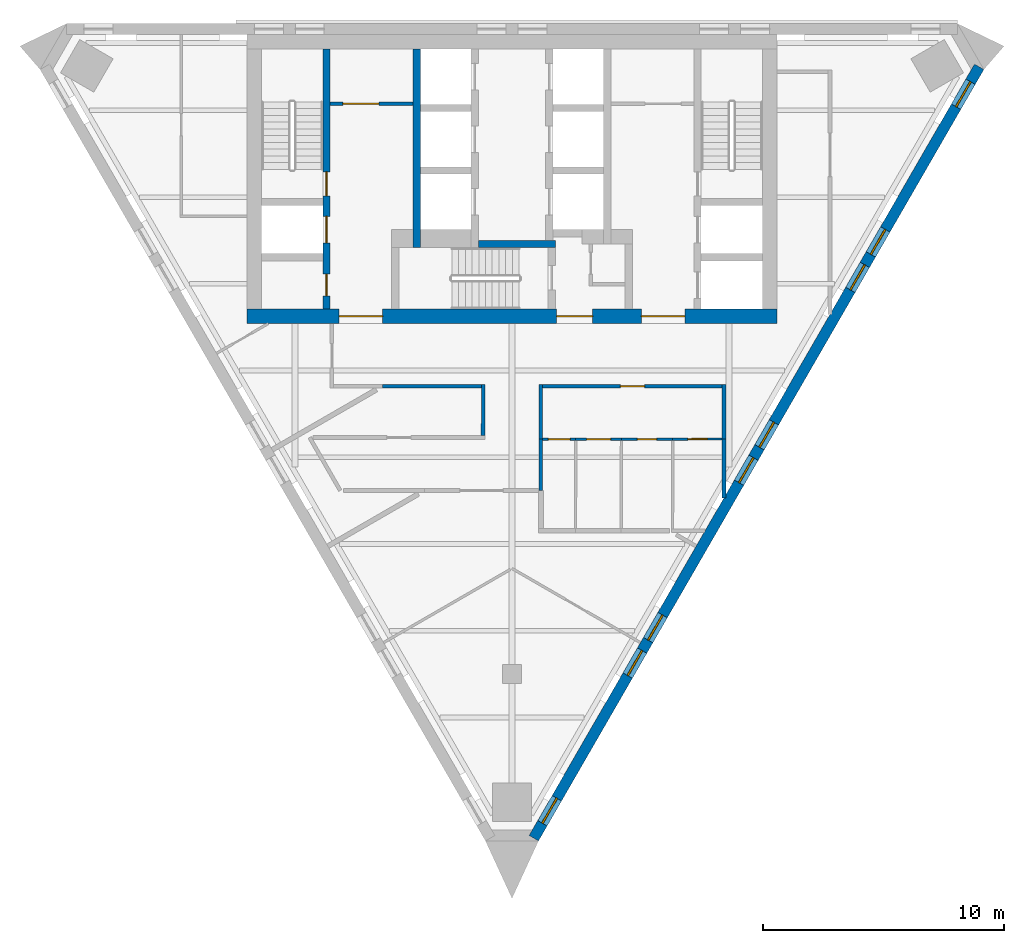
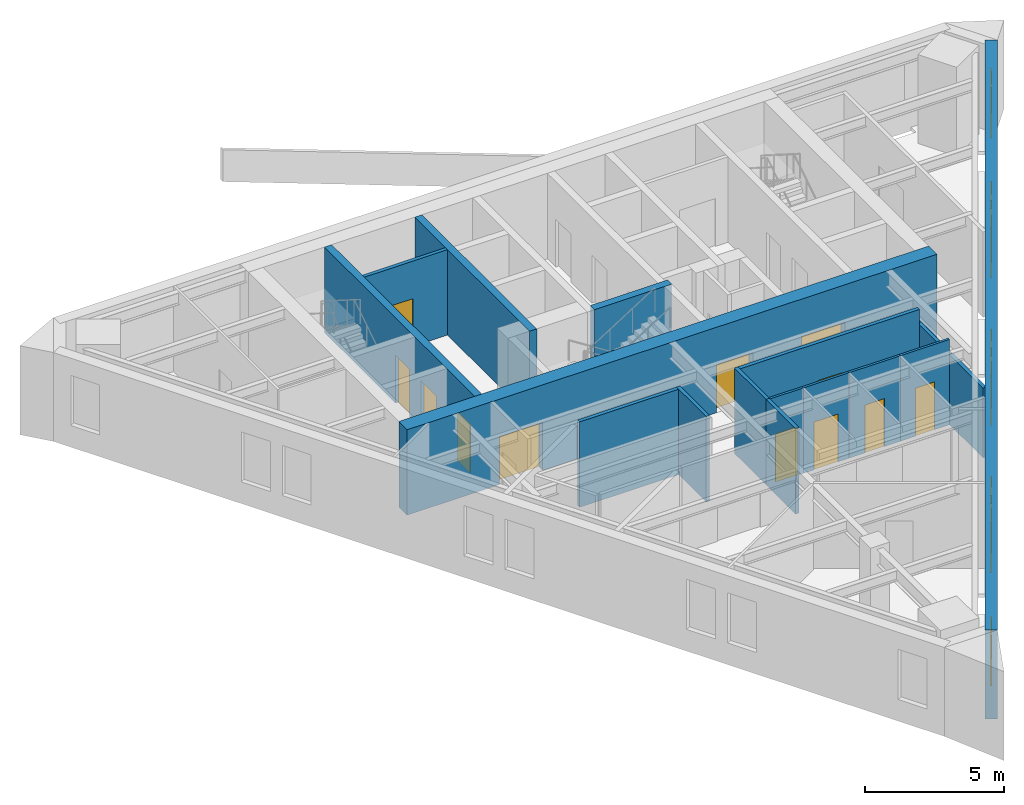
# One storey, part 3 of 6: 17 walls, 12 doors, 8 windows, 20 openings.
"""IFC4 building model written with IfcOpenShell, lengths in metres."""

from ifc_helpers import new_model, si_unit, direction, frame, frame_2d, origin, place, context, subcontext, project, spatial, polyline, rectangle, outline, extrude, material, layer, layer_set, type_object, element, fill, save


model = new_model("IFC4")

# Units and contexts
model_context = context("Model", 3, precision=1e-05, world=origin(), true_north=direction((0.0, 1.0)))
body_context = subcontext(model_context, "Body", "Model", "MODEL_VIEW")
ifc_project = project(units=[si_unit("LENGTHUNIT", "METRE"), si_unit("AREAUNIT", "SQUARE_METRE"), si_unit("VOLUMEUNIT", "CUBIC_METRE"), si_unit("PLANEANGLEUNIT", "RADIAN"), si_unit("MASSUNIT", "GRAM", prefix="KILO")], contexts=[model_context])

# Site, building, storey
site_placement = place(None, origin())
site = spatial("IfcSite", under=ifc_project, at=site_placement, CompositionType="ELEMENT")
building_placement = place(site_placement, origin())
building = spatial("IfcBuilding", under=site, at=building_placement, Name="Aloe Facet Convention Tower", CompositionType="ELEMENT")
storey_placement = place(building_placement, frame((0.0, 0.0, 242.60009765625)))
storey = spatial("IfcBuildingStorey", under=building, at=storey_placement, Name="L59", CompositionType="ELEMENT", Elevation=242.60009765625)

# Wall, opening, door
ifc_material_1 = material(Name="Concrete blockwork partition", Category="masonry")
ifc_layer_1 = layer(ifc_material_1, 0.14990234375)
ifc_layer_set_1 = layer_set([ifc_layer_1], Name="CR-W-PART150")
wall_type_1 = type_object("IfcWallType", Name="CR-W-PART150", PredefinedType="PARTITIONING", material=ifc_layer_set_1)
wall_1_placement = place(storey_placement, frame((72.449951171875, 131.675048828125, 0.0), z_axis=(0.0, 0.0, 1.0), x_axis=(1.0, 0.0, 0.0)))
wall_1 = element("IfcWall", 1, at=wall_1_placement, inside=storey, type_object=wall_type_1, Name="Core partition L59-007", PredefinedType="PARTITIONING", context=body_context, shape_type="SweptSolid", body=[
    extrude(rectangle(XDim=3.449951171875, YDim=0.14990234375, at=frame_2d((1.72509765625, 0.0))), origin(), (0.0, 0.0, 1.0), 3.75),
])
opening_1_placement = place(wall_1_placement, frame((0.52490234375, 0.0, 0.0)))
opening_1 = element("IfcOpeningElement", 2, at=opening_1_placement, cuts=wall_1, Name="Opening L59-CD14", PredefinedType="OPENING", context=body_context, shape_type="SweptSolid", body=[
    extrude(rectangle(XDim=1.5, YDim=2.10009765625, at=frame_2d((0.75, 1.050048828125))), frame((0.0, 0.0849609375, 0.0), z_axis=(0.0, -1.0, 0.0), x_axis=(1.0, 0.0, 0.0)), (0.0, 0.0, 1.0), 0.169921875),
])
ifc_material_2 = material(Name="Steel fire-resisting door set FD60", Category="steel")
door_type_1 = type_object("IfcDoorType", Name="CR-D-REFUGE-1500-FD60-DD", OperationType="DOUBLE_DOOR_DOUBLE_SWING", PredefinedType="DOOR", material=ifc_material_2)
door_1_placement = place(opening_1_placement, origin())
door_1 = element("IfcDoor", 3, at=door_1_placement, inside=storey, type_object=door_type_1, Name="Core door L59-CD14", OperationType="DOUBLE_DOOR_DOUBLE_SWING", OverallHeight=2.10009765625, OverallWidth=1.5, PredefinedType="DOOR", context=body_context, shape_type="SweptSolid", body=[
    extrude(rectangle(XDim=1.5, YDim=2.10009765625, at=frame_2d((0.75, 1.050048828125))), frame((0.0, 0.02490234375, 0.0), z_axis=(0.0, -1.0, 0.0), x_axis=(1.0, 0.0, 0.0)), (0.0, 0.0, 1.0), 0.050048828125),
])
fill(opening_1, door_1)

# Wall, openings, doors
ifc_material_3 = material(Name="Concrete C50/60", Category="concrete")
ifc_layer_2 = layer(ifc_material_3, 0.300048828125)
ifc_layer_set_2 = layer_set([ifc_layer_2], Name="CR-W-RC300-C5060")
wall_type_2 = type_object("IfcWallType", Name="CR-W-RC300-C5060", PredefinedType="SOLIDWALL", material=ifc_layer_set_2)
wall_2_placement = place(storey_placement, frame((72.300048828125, 133.949951171875, 0.0), z_axis=(0.0, 0.0, 1.0), x_axis=(0.0, -1.0, 0.0)))
wall_2 = element("IfcWall", 4, at=wall_2_placement, inside=storey, type_object=wall_type_2, Name="Core wall L59-006", PredefinedType="SOLIDWALL", context=body_context, shape_type="SweptSolid", body=[
    extrude(rectangle(XDim=10.800048828125, YDim=0.300048828125, at=frame_2d((5.39990234375, 0.0))), origin(), (0.0, 0.0, 1.0), 3.75),
])
opening_2_placement = place(wall_2_placement, frame((6.949951171875, 0.0, 0.0)))
opening_2 = element("IfcOpeningElement", 5, at=opening_2_placement, cuts=wall_2, Name="Opening LD-FF1-L59", PredefinedType="OPENING", context=body_context, shape_type="SweptSolid", body=[
    extrude(rectangle(XDim=1.10009765625, YDim=2.10009765625, at=frame_2d((0.550048828125, 1.050048828125))), frame((0.0, 0.16015625, 0.0), z_axis=(0.0, -1.0, 0.0), x_axis=(1.0, 0.0, 0.0)), (0.0, 0.0, 1.0), 0.320068359375),
])
opening_3_placement = place(wall_2_placement, frame((9.35009765625, 0.0, 0.0)))
opening_3 = element("IfcOpeningElement", 6, at=opening_3_placement, cuts=wall_2, Name="Opening L59-CD15", PredefinedType="OPENING", context=body_context, shape_type="SweptSolid", body=[
    extrude(rectangle(XDim=0.89990234375, YDim=2.10009765625, at=frame_2d((0.449951171875, 1.050048828125))), frame((0.0, 0.16015625, 0.0), z_axis=(0.0, -1.0, 0.0), x_axis=(1.0, 0.0, 0.0)), (0.0, 0.0, 1.0), 0.320068359375),
])
opening_4_placement = place(wall_2_placement, frame((5.10009765625, 0.0, 0.0)))
opening_4 = element("IfcOpeningElement", 7, at=opening_4_placement, cuts=wall_2, Name="Opening L59-CD16", PredefinedType="OPENING", context=body_context, shape_type="SweptSolid", body=[
    extrude(rectangle(XDim=1.0, YDim=2.10009765625, at=frame_2d((0.5, 1.050048828125))), frame((0.0, 0.16015625, 0.0), z_axis=(0.0, -1.0, 0.0), x_axis=(1.0, 0.0, 0.0)), (0.0, 0.0, 1.0), 0.320068359375),
])
ifc_material_4 = material(Name="Steel fire-resisting door set FD60", Category="steel")
door_type_2 = type_object("IfcDoorType", Name="CR-D-ROOM-900-FD60-SLEFT", OperationType="SINGLE_SWING_LEFT", PredefinedType="DOOR", material=ifc_material_4)
door_2_placement = place(opening_3_placement, origin())
door_2 = element("IfcDoor", 8, at=door_2_placement, inside=storey, type_object=door_type_2, Name="Core door L59-CD15", OperationType="SINGLE_SWING_LEFT", OverallHeight=2.10009765625, OverallWidth=0.89990234375, PredefinedType="DOOR", context=body_context, shape_type="SweptSolid", body=[
    extrude(rectangle(XDim=0.89990234375, YDim=2.10009765625, at=frame_2d((0.449951171875, 1.050048828125))), frame((0.0, 0.02490234375, 0.0), z_axis=(0.0, -1.0, 0.0), x_axis=(1.0, 0.0, 0.0)), (0.0, 0.0, 1.0), 0.050048828125),
])
fill(opening_3, door_2)
ifc_material_5 = material(Name="Steel fire-resisting door set FD120", Category="steel")
door_type_3 = type_object("IfcDoorType", Name="CR-D-STAIR-1000-FD120-SRIGHT", OperationType="SINGLE_SWING_RIGHT", PredefinedType="DOOR", material=ifc_material_5)
door_3_placement = place(opening_4_placement, origin())
door_3 = element("IfcDoor", 9, at=door_3_placement, inside=storey, type_object=door_type_3, Name="Core door L59-CD16", OperationType="SINGLE_SWING_RIGHT", OverallHeight=2.10009765625, OverallWidth=1.0, PredefinedType="DOOR", context=body_context, shape_type="SweptSolid", body=[
    extrude(rectangle(XDim=1.0, YDim=2.10009765625, at=frame_2d((0.5, 1.050048828125))), frame((0.0, 0.02490234375, 0.0), z_axis=(0.0, -1.0, 0.0), x_axis=(1.0, 0.0, 0.0)), (0.0, 0.0, 1.0), 0.050048828125),
])
fill(opening_4, door_3)
ifc_material_6 = material(Name="Stainless steel sliding landing door", Category="steel")
door_type_4 = type_object("IfcDoorType", Name="CR-LD-1100-FD120-_LEFT", OperationType="SLIDING_TO_LEFT", PredefinedType="DOOR", material=ifc_material_6)
door_4_placement = place(opening_2_placement, origin())
door_4 = element("IfcDoor", 10, at=door_4_placement, inside=storey, type_object=door_type_4, Name="Landing door FF1 L59", OperationType="SLIDING_TO_LEFT", OverallHeight=2.10009765625, OverallWidth=1.10009765625, PredefinedType="DOOR", context=body_context, shape_type="SweptSolid", body=[
    extrude(rectangle(XDim=1.10009765625, YDim=2.10009765625, at=frame_2d((0.550048828125, 1.050048828125))), frame((0.0, 0.02490234375, 0.0), z_axis=(0.0, -1.0, 0.0), x_axis=(1.0, 0.0, 0.0)), (0.0, 0.0, 1.0), 0.050048828125),
])
fill(opening_2, door_4)

# Walls
wall_3_placement = place(storey_placement, frame((76.050048828125, 133.949951171875, 0.0), z_axis=(0.0, 0.0, 1.0), x_axis=(0.0, -1.0, 0.0)))
element("IfcWall", 11, at=wall_3_placement, inside=storey, type_object=wall_type_2, Name="Core wall L59-010", PredefinedType="SOLIDWALL", context=body_context, shape_type="SweptSolid", body=[
    extrude(rectangle(XDim=8.25, YDim=0.300048828125, at=frame_2d((4.125, 0.0))), origin(), (0.0, 0.0, 1.0), 3.75),
])
wall_4_placement = place(storey_placement, frame((78.60009765625, 125.85009765625, 0.0), z_axis=(0.0, 0.0, 1.0), x_axis=(1.0, 0.0, 0.0)))
element("IfcWall", 12, at=wall_4_placement, inside=storey, type_object=wall_type_2, Name="Core wall L59-015", PredefinedType="SOLIDWALL", context=body_context, shape_type="SweptSolid", body=[
    extrude(rectangle(XDim=3.199951171875, YDim=0.300048828125, at=frame_2d((1.60009765625, 0.0))), origin(), (0.0, 0.0, 1.0), 3.75),
])

# Wall, openings, doors
ifc_material_7 = material(Name="Concrete C50/60", Category="concrete")
ifc_layer_3 = layer(ifc_material_7, 0.60009765625)
ifc_layer_set_3 = layer_set([ifc_layer_3], Name="CR-W-RC600-C5060")
wall_type_3 = type_object("IfcWallType", Name="CR-W-RC600-C5060", PredefinedType="SOLIDWALL", material=ifc_layer_set_3)
wall_5_placement = place(storey_placement, frame((69.0, 122.85009765625, 0.0), z_axis=(0.0, 0.0, 1.0), x_axis=(1.0, 0.0, 0.0)))
wall_5 = element("IfcWall", 13, at=wall_5_placement, inside=storey, type_object=wall_type_3, Name="Core wall L59-003", PredefinedType="SOLIDWALL", context=body_context, shape_type="SweptSolid", body=[
    extrude(rectangle(XDim=22.0, YDim=0.60009765625, at=frame_2d((11.0, 0.0))), origin(), (0.0, 0.0, 1.0), 3.75),
])
opening_5_placement = place(wall_5_placement, frame((16.375, 0.0, 0.0)))
opening_5 = element("IfcOpeningElement", 14, at=opening_5_placement, cuts=wall_5, Name="Opening L59-CD09", PredefinedType="OPENING", context=body_context, shape_type="SweptSolid", body=[
    extrude(rectangle(XDim=1.800048828125, YDim=2.10009765625, at=frame_2d((0.89990234375, 1.050048828125))), frame((0.0, 0.31005859375, 0.0), z_axis=(0.0, -1.0, 0.0), x_axis=(1.0, 0.0, 0.0)), (0.0, 0.0, 1.0), 0.6201171875),
])
opening_6_placement = place(wall_5_placement, frame((3.824951171875, 0.0, 0.0)))
opening_6 = element("IfcOpeningElement", 15, at=opening_6_placement, cuts=wall_5, Name="Opening L59-CD10", PredefinedType="OPENING", context=body_context, shape_type="SweptSolid", body=[
    extrude(rectangle(XDim=1.800048828125, YDim=2.10009765625, at=frame_2d((0.89990234375, 1.050048828125))), frame((0.0, 0.31005859375, 0.0), z_axis=(0.0, -1.0, 0.0), x_axis=(1.0, 0.0, 0.0)), (0.0, 0.0, 1.0), 0.6201171875),
])
opening_7_placement = place(wall_5_placement, frame((12.85009765625, 0.0, 0.0)))
opening_7 = element("IfcOpeningElement", 16, at=opening_7_placement, cuts=wall_5, Name="Opening L59-CD11", PredefinedType="OPENING", context=body_context, shape_type="SweptSolid", body=[
    extrude(rectangle(XDim=1.5, YDim=2.10009765625, at=frame_2d((0.75, 1.050048828125))), frame((0.0, 0.31005859375, 0.0), z_axis=(0.0, -1.0, 0.0), x_axis=(1.0, 0.0, 0.0)), (0.0, 0.0, 1.0), 0.6201171875),
])
ifc_material_8 = material(Name="Steel fire-resisting door set FD60", Category="steel")
door_type_5 = type_object("IfcDoorType", Name="CR-D-EXIT-1500-FD60-DD", OperationType="DOUBLE_DOOR_DOUBLE_SWING", PredefinedType="DOOR", material=ifc_material_8)
door_5_placement = place(opening_7_placement, origin())
door_5 = element("IfcDoor", 17, at=door_5_placement, inside=storey, type_object=door_type_5, Name="Core door L59-CD11", OperationType="DOUBLE_DOOR_DOUBLE_SWING", OverallHeight=2.10009765625, OverallWidth=1.5, PredefinedType="DOOR", context=body_context, shape_type="SweptSolid", body=[
    extrude(rectangle(XDim=1.5, YDim=2.10009765625, at=frame_2d((0.75, 1.050048828125))), frame((0.0, 0.02490234375, 0.0), z_axis=(0.0, -1.0, 0.0), x_axis=(1.0, 0.0, 0.0)), (0.0, 0.0, 1.0), 0.050048828125),
])
fill(opening_7, door_5)
ifc_material_9 = material(Name="Steel fire-resisting door set FD120", Category="steel")
door_type_6 = type_object("IfcDoorType", Name="CR-D-EXIT-1800-FD120-DD", OperationType="DOUBLE_DOOR_DOUBLE_SWING", PredefinedType="DOOR", material=ifc_material_9)
door_6_placement = place(opening_5_placement, origin())
door_6 = element("IfcDoor", 18, at=door_6_placement, inside=storey, type_object=door_type_6, Name="Core door L59-CD09", OperationType="DOUBLE_DOOR_DOUBLE_SWING", OverallHeight=2.10009765625, OverallWidth=1.800048828125, PredefinedType="DOOR", context=body_context, shape_type="SweptSolid", body=[
    extrude(rectangle(XDim=1.800048828125, YDim=2.10009765625, at=frame_2d((0.89990234375, 1.050048828125))), frame((0.0, 0.02490234375, 0.0), z_axis=(0.0, -1.0, 0.0), x_axis=(1.0, 0.0, 0.0)), (0.0, 0.0, 1.0), 0.050048828125),
])
fill(opening_5, door_6)
door_7_placement = place(opening_6_placement, origin())
door_7 = element("IfcDoor", 19, at=door_7_placement, inside=storey, type_object=door_type_6, Name="Core door L59-CD10", OperationType="DOUBLE_DOOR_DOUBLE_SWING", OverallHeight=2.10009765625, OverallWidth=1.800048828125, PredefinedType="DOOR", context=body_context, shape_type="SweptSolid", body=[
    extrude(rectangle(XDim=1.800048828125, YDim=2.10009765625, at=frame_2d((0.89990234375, 1.050048828125))), frame((0.0, 0.02490234375, 0.0), z_axis=(0.0, -1.0, 0.0), x_axis=(1.0, 0.0, 0.0)), (0.0, 0.0, 1.0), 0.050048828125),
])
fill(opening_6, door_7)

# Wall, openings, windows
ifc_material_10 = material(Name="Precast concrete C40/50", Category="concrete")
ifc_layer_4 = layer(ifc_material_10, 0.449951171875)
ifc_layer_set_4 = layer_set([ifc_layer_4], Name="EV-WALL-STONE")
wall_type_4 = type_object("IfcWallType", Name="EV-WALL-STONE", PredefinedType="SOLIDWALL", material=ifc_layer_set_4)
wall_6_placement = place(storey_placement, frame((80.905029296875, 101.188232421875, -0.150146484375), z_axis=(0.0, 0.0, 1.0), x_axis=(0.500002536638, 0.866023939251, 0.0)))
wall_6 = element("IfcWall", 20, at=wall_6_placement, inside=storey, type_object=wall_type_4, Name="EW-L59-E01", PredefinedType="SOLIDWALL", context=body_context, shape_type="SweptSolid", body=[
    extrude(outline(polyline([(36.972412109375, 0.0), (36.972412109375, 3.900146484375), (0.0, 3.900146484375), (0.0, 0.0), (36.972412109375, 0.0)])), frame((0.0, 0.22509765625, 0.0), z_axis=(0.0, -1.0, 0.0), x_axis=(1.0, 0.0, 0.0)), (0.0, 0.0, 1.0), 0.449951171875),
])
opening_8_placement = place(wall_6_placement, frame((0.714599609375, 0.0, 0.949951171875)))
opening_8 = element("IfcOpeningElement", 21, at=opening_8_placement, cuts=wall_6, Name="Opening W-L59-E01", PredefinedType="OPENING", context=body_context, shape_type="SweptSolid", body=[
    extrude(rectangle(XDim=1.199951171875, YDim=2.199951171875, at=frame_2d((0.60009765625, 1.10009765625))), frame((0.0, 0.23486328125, 0.0), z_axis=(0.0, -1.0, 0.0), x_axis=(1.0, 0.0, 0.0)), (0.0, 0.0, 1.0), 0.469970703125),
])
opening_9_placement = place(wall_6_placement, frame((7.79296875, 0.0, 0.949951171875)))
opening_9 = element("IfcOpeningElement", 22, at=opening_9_placement, cuts=wall_6, Name="Opening W-L59-E02", PredefinedType="OPENING", context=body_context, shape_type="SweptSolid", body=[
    extrude(rectangle(XDim=1.199951171875, YDim=2.199951171875, at=frame_2d((0.60009765625, 1.10009765625))), frame((0.0, 0.23486328125, 0.0), z_axis=(0.0, -1.0, 0.0), x_axis=(1.0, 0.0, 0.0)), (0.0, 0.0, 1.0), 0.469970703125),
])
opening_10_placement = place(wall_6_placement, frame((9.4931640625, 0.0, 0.949951171875)))
opening_10 = element("IfcOpeningElement", 23, at=opening_10_placement, cuts=wall_6, Name="Opening W-L59-E03", PredefinedType="OPENING", context=body_context, shape_type="SweptSolid", body=[
    extrude(rectangle(XDim=1.199951171875, YDim=2.199951171875, at=frame_2d((0.60009765625, 1.10009765625))), frame((0.0, 0.23486328125, 0.0), z_axis=(0.0, -1.0, 0.0), x_axis=(1.0, 0.0, 0.0)), (0.0, 0.0, 1.0), 0.469970703125),
])
opening_11_placement = place(wall_6_placement, frame((17.0361328125, 0.0, 0.949951171875)))
opening_11 = element("IfcOpeningElement", 24, at=opening_11_placement, cuts=wall_6, Name="Opening W-L59-E04", PredefinedType="OPENING", context=body_context, shape_type="SweptSolid", body=[
    extrude(rectangle(XDim=1.199951171875, YDim=2.199951171875, at=frame_2d((0.60009765625, 1.10009765625))), frame((0.0, 0.23486328125, 0.0), z_axis=(0.0, -1.0, 0.0), x_axis=(1.0, 0.0, 0.0)), (0.0, 0.0, 1.0), 0.469970703125),
])
opening_12_placement = place(wall_6_placement, frame((18.736083984375, 0.0, 0.949951171875)))
opening_12 = element("IfcOpeningElement", 25, at=opening_12_placement, cuts=wall_6, Name="Opening W-L59-E05", PredefinedType="OPENING", context=body_context, shape_type="SweptSolid", body=[
    extrude(rectangle(XDim=1.199951171875, YDim=2.199951171875, at=frame_2d((0.60009765625, 1.10009765625))), frame((0.0, 0.23486328125, 0.0), z_axis=(0.0, -1.0, 0.0), x_axis=(1.0, 0.0, 0.0)), (0.0, 0.0, 1.0), 0.469970703125),
])
opening_13_placement = place(wall_6_placement, frame((26.279296875, 0.0, 0.949951171875)))
opening_13 = element("IfcOpeningElement", 26, at=opening_13_placement, cuts=wall_6, Name="Opening W-L59-E06", PredefinedType="OPENING", context=body_context, shape_type="SweptSolid", body=[
    extrude(rectangle(XDim=1.199951171875, YDim=2.199951171875, at=frame_2d((0.60009765625, 1.10009765625))), frame((0.0, 0.23486328125, 0.0), z_axis=(0.0, -1.0, 0.0), x_axis=(1.0, 0.0, 0.0)), (0.0, 0.0, 1.0), 0.469970703125),
])
opening_14_placement = place(wall_6_placement, frame((27.979248046875, 0.0, 0.949951171875)))
opening_14 = element("IfcOpeningElement", 27, at=opening_14_placement, cuts=wall_6, Name="Opening W-L59-E07", PredefinedType="OPENING", context=body_context, shape_type="SweptSolid", body=[
    extrude(rectangle(XDim=1.199951171875, YDim=2.199951171875, at=frame_2d((0.60009765625, 1.10009765625))), frame((0.0, 0.23486328125, 0.0), z_axis=(0.0, -1.0, 0.0), x_axis=(1.0, 0.0, 0.0)), (0.0, 0.0, 1.0), 0.469970703125),
])
opening_15_placement = place(wall_6_placement, frame((35.0576171875, 0.0, 0.949951171875)))
opening_15 = element("IfcOpeningElement", 28, at=opening_15_placement, cuts=wall_6, Name="Opening W-L59-E08", PredefinedType="OPENING", context=body_context, shape_type="SweptSolid", body=[
    extrude(rectangle(XDim=1.199951171875, YDim=2.199951171875, at=frame_2d((0.60009765625, 1.10009765625))), frame((0.0, 0.23486328125, 0.0), z_axis=(0.0, -1.0, 0.0), x_axis=(1.0, 0.0, 0.0)), (0.0, 0.0, 1.0), 0.469970703125),
])
ifc_material_11 = material(Name="Aluminium frame, clear double glazing", Category="aluminium")
window_type = type_object("IfcWindowType", Name="EV-WIN-O12", PartitioningType="SINGLE_PANEL", PredefinedType="WINDOW", material=ifc_material_11)
window_1_placement = place(opening_8_placement, origin())
window_1 = element("IfcWindow", 29, at=window_1_placement, inside=storey, type_object=window_type, Name="W-L59-E01", OverallHeight=2.199951171875, OverallWidth=1.199951171875, PartitioningType="SINGLE_PANEL", PredefinedType="WINDOW", context=body_context, shape_type="SweptSolid", body=[
    extrude(rectangle(XDim=1.199951171875, YDim=2.199951171875, at=frame_2d((0.60009765625, 1.10009765625))), frame((0.0, 0.030029296875, 0.0), z_axis=(0.0, -1.0, 0.0), x_axis=(1.0, 0.0, 0.0)), (0.0, 0.0, 1.0), 0.06005859375),
])
fill(opening_8, window_1)
window_2_placement = place(opening_9_placement, origin())
window_2 = element("IfcWindow", 30, at=window_2_placement, inside=storey, type_object=window_type, Name="W-L59-E02", OverallHeight=2.199951171875, OverallWidth=1.199951171875, PartitioningType="SINGLE_PANEL", PredefinedType="WINDOW", context=body_context, shape_type="SweptSolid", body=[
    extrude(rectangle(XDim=1.199951171875, YDim=2.199951171875, at=frame_2d((0.60009765625, 1.10009765625))), frame((0.0, 0.030029296875, 0.0), z_axis=(0.0, -1.0, 0.0), x_axis=(1.0, 0.0, 0.0)), (0.0, 0.0, 1.0), 0.06005859375),
])
fill(opening_9, window_2)
window_3_placement = place(opening_10_placement, origin())
window_3 = element("IfcWindow", 31, at=window_3_placement, inside=storey, type_object=window_type, Name="W-L59-E03", OverallHeight=2.199951171875, OverallWidth=1.199951171875, PartitioningType="SINGLE_PANEL", PredefinedType="WINDOW", context=body_context, shape_type="SweptSolid", body=[
    extrude(rectangle(XDim=1.199951171875, YDim=2.199951171875, at=frame_2d((0.60009765625, 1.10009765625))), frame((0.0, 0.030029296875, 0.0), z_axis=(0.0, -1.0, 0.0), x_axis=(1.0, 0.0, 0.0)), (0.0, 0.0, 1.0), 0.06005859375),
])
fill(opening_10, window_3)
window_4_placement = place(opening_11_placement, origin())
window_4 = element("IfcWindow", 32, at=window_4_placement, inside=storey, type_object=window_type, Name="W-L59-E04", OverallHeight=2.199951171875, OverallWidth=1.199951171875, PartitioningType="SINGLE_PANEL", PredefinedType="WINDOW", context=body_context, shape_type="SweptSolid", body=[
    extrude(rectangle(XDim=1.199951171875, YDim=2.199951171875, at=frame_2d((0.60009765625, 1.10009765625))), frame((0.0, 0.030029296875, 0.0), z_axis=(0.0, -1.0, 0.0), x_axis=(1.0, 0.0, 0.0)), (0.0, 0.0, 1.0), 0.06005859375),
])
fill(opening_11, window_4)
window_5_placement = place(opening_12_placement, origin())
window_5 = element("IfcWindow", 33, at=window_5_placement, inside=storey, type_object=window_type, Name="W-L59-E05", OverallHeight=2.199951171875, OverallWidth=1.199951171875, PartitioningType="SINGLE_PANEL", PredefinedType="WINDOW", context=body_context, shape_type="SweptSolid", body=[
    extrude(rectangle(XDim=1.199951171875, YDim=2.199951171875, at=frame_2d((0.60009765625, 1.10009765625))), frame((0.0, 0.030029296875, 0.0), z_axis=(0.0, -1.0, 0.0), x_axis=(1.0, 0.0, 0.0)), (0.0, 0.0, 1.0), 0.06005859375),
])
fill(opening_12, window_5)
window_6_placement = place(opening_13_placement, origin())
window_6 = element("IfcWindow", 34, at=window_6_placement, inside=storey, type_object=window_type, Name="W-L59-E06", OverallHeight=2.199951171875, OverallWidth=1.199951171875, PartitioningType="SINGLE_PANEL", PredefinedType="WINDOW", context=body_context, shape_type="SweptSolid", body=[
    extrude(rectangle(XDim=1.199951171875, YDim=2.199951171875, at=frame_2d((0.60009765625, 1.10009765625))), frame((0.0, 0.030029296875, 0.0), z_axis=(0.0, -1.0, 0.0), x_axis=(1.0, 0.0, 0.0)), (0.0, 0.0, 1.0), 0.06005859375),
])
fill(opening_13, window_6)
window_7_placement = place(opening_14_placement, origin())
window_7 = element("IfcWindow", 35, at=window_7_placement, inside=storey, type_object=window_type, Name="W-L59-E07", OverallHeight=2.199951171875, OverallWidth=1.199951171875, PartitioningType="SINGLE_PANEL", PredefinedType="WINDOW", context=body_context, shape_type="SweptSolid", body=[
    extrude(rectangle(XDim=1.199951171875, YDim=2.199951171875, at=frame_2d((0.60009765625, 1.10009765625))), frame((0.0, 0.030029296875, 0.0), z_axis=(0.0, -1.0, 0.0), x_axis=(1.0, 0.0, 0.0)), (0.0, 0.0, 1.0), 0.06005859375),
])
fill(opening_14, window_7)
window_8_placement = place(opening_15_placement, origin())
window_8 = element("IfcWindow", 36, at=window_8_placement, inside=storey, type_object=window_type, Name="W-L59-E08", OverallHeight=2.199951171875, OverallWidth=1.199951171875, PartitioningType="SINGLE_PANEL", PredefinedType="WINDOW", context=body_context, shape_type="SweptSolid", body=[
    extrude(rectangle(XDim=1.199951171875, YDim=2.199951171875, at=frame_2d((0.60009765625, 1.10009765625))), frame((0.0, 0.030029296875, 0.0), z_axis=(0.0, -1.0, 0.0), x_axis=(1.0, 0.0, 0.0)), (0.0, 0.0, 1.0), 0.06005859375),
])
fill(opening_15, window_8)

# Walls
ifc_material_12 = material(Name="Gypsum board partition on steel studs", Category="steel")
ifc_layer_5 = layer(ifc_material_12, 0.14990234375)
ifc_layer_set_5 = layer_set([ifc_layer_5], Name="IN-W-CORR")
wall_type_5 = type_object("IfcWallType", Name="IN-W-CORR", PredefinedType="PARTITIONING", material=ifc_layer_set_5)
wall_7_placement = place(storey_placement, frame((88.800048828125, 115.313232421875, 0.0), z_axis=(0.0, 0.0, 1.0), x_axis=(0.0, 1.0, 0.0)))
element("IfcWall", 37, at=wall_7_placement, inside=storey, type_object=wall_type_5, Name="Partition L59-W010", PredefinedType="PARTITIONING", context=body_context, shape_type="SweptSolid", body=[
    extrude(rectangle(XDim=2.44677734375, YDim=0.14990234375, at=frame_2d((1.223388671875, 0.0))), origin(), (0.0, 0.0, 1.0), 3.06201171875),
])
wall_8_placement = place(storey_placement, frame((88.800048828125, 117.760009765625, 0.0), z_axis=(0.0, 0.0, 1.0), x_axis=(0.0, 1.0, 0.0)))
element("IfcWall", 38, at=wall_8_placement, inside=storey, type_object=wall_type_5, Name="Partition L59-W016", PredefinedType="PARTITIONING", context=body_context, shape_type="SweptSolid", body=[
    extrude(rectangle(XDim=2.262939453125, YDim=0.14990234375, at=frame_2d((1.13134765625, 0.0))), origin(), (0.0, 0.0, 1.0), 3.06201171875),
])
wall_9_placement = place(storey_placement, frame((81.199951171875, 115.620361328125, 0.0), z_axis=(0.0, 0.0, 1.0), x_axis=(0.0, 1.0, 0.0)))
element("IfcWall", 39, at=wall_9_placement, inside=storey, type_object=wall_type_5, Name="Partition L59-W024", PredefinedType="PARTITIONING", context=body_context, shape_type="SweptSolid", body=[
    extrude(rectangle(XDim=2.129638671875, YDim=0.14990234375, at=frame_2d((1.06494140625, 0.0))), origin(), (0.0, 0.0, 1.0), 3.75),
])
wall_10_placement = place(storey_placement, frame((78.798095703125, 117.895263671875, 0.0), z_axis=(0.0, 0.0, 1.0), x_axis=(0.000917957158, 0.999999578677, 0.0)))
element("IfcWall", 40, at=wall_10_placement, inside=storey, type_object=wall_type_5, Name="Partition L59-W026", PredefinedType="PARTITIONING", context=body_context, shape_type="SweptSolid", body=[
    extrude(rectangle(XDim=2.127685546875, YDim=0.14990234375, at=frame_2d((1.06396484375, 0.0))), origin(), (0.0, 0.0, 1.0), 3.75),
])
wall_11_placement = place(storey_placement, frame((81.199951171875, 117.75, 0.0), z_axis=(0.0, 0.0, 1.0), x_axis=(0.0, 1.0, 0.0)))
element("IfcWall", 41, at=wall_11_placement, inside=storey, type_object=wall_type_5, Name="Partition L59-W027", PredefinedType="PARTITIONING", context=body_context, shape_type="SweptSolid", body=[
    extrude(rectangle(XDim=2.27294921875, YDim=0.14990234375, at=frame_2d((1.136474609375, 0.0))), origin(), (0.0, 0.0, 1.0), 3.75),
])
wall_12_placement = place(storey_placement, frame((74.61865234375, 119.949951171875, 0.0), z_axis=(0.0, 0.0, 1.0), x_axis=(0.999999886891, -0.000475624203, 0.0)))
element("IfcWall", 42, at=wall_12_placement, inside=storey, type_object=wall_type_5, Name="Partition L59-W030", PredefinedType="PARTITIONING", context=body_context, shape_type="SweptSolid", body=[
    extrude(rectangle(XDim=4.1064453125, YDim=0.14990234375, at=frame_2d((2.05322265625, 0.0))), origin(), (0.0, 0.0, 1.0), 3.75),
])

# Wall, opening, door
wall_13_placement = place(storey_placement, frame((81.27490234375, 119.947998046875, 0.0), z_axis=(0.0, 0.0, 1.0), x_axis=(1.0, 0.0, 0.0)))
wall_13 = element("IfcWall", 43, at=wall_13_placement, inside=storey, type_object=wall_type_5, Name="Partition L59-W031", PredefinedType="PARTITIONING", context=body_context, shape_type="SweptSolid", body=[
    extrude(rectangle(XDim=7.4501953125, YDim=0.14990234375, at=frame_2d((3.72509765625, 0.0))), origin(), (0.0, 0.0, 1.0), 3.75),
])
opening_16_placement = place(wall_13_placement, frame((3.22509765625, 0.0, 0.0)))
opening_16 = element("IfcOpeningElement", 44, at=opening_16_placement, cuts=wall_13, Name="Opening L59-001", PredefinedType="OPENING", context=body_context, shape_type="SweptSolid", body=[
    extrude(rectangle(XDim=1.0, YDim=2.10009765625, at=frame_2d((0.5, 1.050048828125))), frame((0.0, 0.0849609375, 0.0), z_axis=(0.0, -1.0, 0.0), x_axis=(1.0, 0.0, 0.0)), (0.0, 0.0, 1.0), 0.169921875),
])
ifc_material_13 = material(Name="Timber door FD30S with vision panel", Category="wood")
door_type_7 = type_object("IfcDoorType", Name="IN-OFF-D-ENTRY", OperationType="SINGLE_SWING_LEFT", PredefinedType="DOOR", material=ifc_material_13)
door_8_placement = place(opening_16_placement, origin())
door_8 = element("IfcDoor", 45, at=door_8_placement, inside=storey, type_object=door_type_7, Name="Door L59-001", OperationType="SINGLE_SWING_LEFT", OverallHeight=2.10009765625, OverallWidth=1.0, PredefinedType="DOOR", context=body_context, shape_type="SweptSolid", body=[
    extrude(rectangle(XDim=1.0, YDim=2.10009765625, at=frame_2d((0.5, 1.050048828125))), frame((0.0, 0.02490234375, 0.0), z_axis=(0.0, -1.0, 0.0), x_axis=(1.0, 0.0, 0.0)), (0.0, 0.0, 1.0), 0.050048828125),
])
fill(opening_16, door_8)

ifc_material_14 = material(Name="Gypsum board partition on steel studs", Category="steel")
ifc_layer_6 = layer(ifc_material_14, 0.10009765625)
ifc_layer_set_6 = layer_set([ifc_layer_6], Name="IN-W-PART")
wall_type_6 = type_object("IfcWallType", Name="IN-W-PART", PredefinedType="PARTITIONING", material=ifc_layer_set_6)
wall_14_placement = place(storey_placement, frame((81.27490234375, 117.75, 0.0), z_axis=(0.0, 0.0, 1.0), x_axis=(1.0, 0.0, 0.0)))
wall_14 = element("IfcWall", 46, at=wall_14_placement, inside=storey, type_object=wall_type_6, Name="Partition L59-W018", PredefinedType="PARTITIONING", context=body_context, shape_type="SweptSolid", body=[
    extrude(rectangle(XDim=1.369140625, YDim=0.10009765625, at=frame_2d((0.6845703125, 0.0))), origin(), (0.0, 0.0, 1.0), 3.75),
])
opening_17_placement = place(wall_14_placement, frame((0.234619140625, 0.0, 0.0)))
opening_17 = element("IfcOpeningElement", 47, at=opening_17_placement, cuts=wall_14, Name="Opening L59-002", PredefinedType="OPENING", context=body_context, shape_type="SweptSolid", body=[
    extrude(rectangle(XDim=0.89990234375, YDim=2.10009765625, at=frame_2d((0.449951171875, 1.050048828125))), frame((0.0, 0.06005859375, 0.0), z_axis=(0.0, -1.0, 0.0), x_axis=(1.0, 0.0, 0.0)), (0.0, 0.0, 1.0), 0.1201171875),
])
ifc_material_15 = material(Name="Timber door", Category="wood")
door_type_8 = type_object("IfcDoorType", Name="IN-OFF-D-ROOM", OperationType="SINGLE_SWING_LEFT", PredefinedType="DOOR", material=ifc_material_15)
door_9_placement = place(opening_17_placement, origin())
door_9 = element("IfcDoor", 48, at=door_9_placement, inside=storey, type_object=door_type_8, Name="Door L59-002", OperationType="SINGLE_SWING_LEFT", OverallHeight=2.10009765625, OverallWidth=0.89990234375, PredefinedType="DOOR", context=body_context, shape_type="SweptSolid", body=[
    extrude(rectangle(XDim=0.89990234375, YDim=2.10009765625, at=frame_2d((0.449951171875, 1.050048828125))), frame((0.0, 0.02490234375, 0.0), z_axis=(0.0, -1.0, 0.0), x_axis=(1.0, 0.0, 0.0)), (0.0, 0.0, 1.0), 0.050048828125),
])
fill(opening_17, door_9)

wall_15_placement = place(storey_placement, frame((82.64404296875, 117.75, 0.0), z_axis=(0.0, 0.0, 1.0), x_axis=(1.0, 0.0, 0.0)))
wall_15 = element("IfcWall", 49, at=wall_15_placement, inside=storey, type_object=wall_type_6, Name="Partition L59-W020", PredefinedType="PARTITIONING", context=body_context, shape_type="SweptSolid", body=[
    extrude(rectangle(XDim=1.89990234375, YDim=0.10009765625, at=frame_2d((0.949951171875, 0.0))), origin(), (0.0, 0.0, 1.0), 3.75),
])
opening_18_placement = place(wall_15_placement, frame((0.449951171875, 0.0, 0.0)))
opening_18 = element("IfcOpeningElement", 50, at=opening_18_placement, cuts=wall_15, Name="Opening L59-003", PredefinedType="OPENING", context=body_context, shape_type="SweptSolid", body=[
    extrude(rectangle(XDim=1.0, YDim=2.10009765625, at=frame_2d((0.5, 1.050048828125))), frame((0.0, 0.06005859375, 0.0), z_axis=(0.0, -1.0, 0.0), x_axis=(1.0, 0.0, 0.0)), (0.0, 0.0, 1.0), 0.1201171875),
])
ifc_material_16 = material(Name="Timber door", Category="wood")
door_type_9 = type_object("IfcDoorType", Name="IN-OFF-D-WIDE", OperationType="SINGLE_SWING_LEFT", PredefinedType="DOOR", material=ifc_material_16)
door_10_placement = place(opening_18_placement, origin())
door_10 = element("IfcDoor", 51, at=door_10_placement, inside=storey, type_object=door_type_9, Name="Door L59-003", OperationType="SINGLE_SWING_LEFT", OverallHeight=2.10009765625, OverallWidth=1.0, PredefinedType="DOOR", context=body_context, shape_type="SweptSolid", body=[
    extrude(rectangle(XDim=1.0, YDim=2.10009765625, at=frame_2d((0.5, 1.050048828125))), frame((0.0, 0.02490234375, 0.0), z_axis=(0.0, -1.0, 0.0), x_axis=(1.0, 0.0, 0.0)), (0.0, 0.0, 1.0), 0.050048828125),
])
fill(opening_18, door_10)

wall_16_placement = place(storey_placement, frame((84.5439453125, 117.75, 0.0), z_axis=(0.0, 0.0, 1.0), x_axis=(1.0, 0.0, 0.0)))
wall_16 = element("IfcWall", 52, at=wall_16_placement, inside=storey, type_object=wall_type_6, Name="Partition L59-W022", PredefinedType="PARTITIONING", context=body_context, shape_type="SweptSolid", body=[
    extrude(rectangle(XDim=2.128173828125, YDim=0.10009765625, at=frame_2d((1.06396484375, 0.0))), origin(), (0.0, 0.0, 1.0), 3.75),
])
opening_19_placement = place(wall_16_placement, frame((0.6640625, 0.0, 0.0)))
opening_19 = element("IfcOpeningElement", 53, at=opening_19_placement, cuts=wall_16, Name="Opening L59-004", PredefinedType="OPENING", context=body_context, shape_type="SweptSolid", body=[
    extrude(rectangle(XDim=0.800048828125, YDim=2.10009765625, at=frame_2d((0.39990234375, 1.050048828125))), frame((0.0, 0.06005859375, 0.0), z_axis=(0.0, -1.0, 0.0), x_axis=(1.0, 0.0, 0.0)), (0.0, 0.0, 1.0), 0.1201171875),
])
ifc_material_17 = material(Name="Timber door", Category="wood")
door_type_10 = type_object("IfcDoorType", Name="IN-OFF-D-WC", OperationType="SINGLE_SWING_LEFT", PredefinedType="DOOR", material=ifc_material_17)
door_11_placement = place(opening_19_placement, origin())
door_11 = element("IfcDoor", 54, at=door_11_placement, inside=storey, type_object=door_type_10, Name="Door L59-004", OperationType="SINGLE_SWING_LEFT", OverallHeight=2.10009765625, OverallWidth=0.800048828125, PredefinedType="DOOR", context=body_context, shape_type="SweptSolid", body=[
    extrude(rectangle(XDim=0.800048828125, YDim=2.10009765625, at=frame_2d((0.39990234375, 1.050048828125))), frame((0.0, 0.02490234375, 0.0), z_axis=(0.0, -1.0, 0.0), x_axis=(1.0, 0.0, 0.0)), (0.0, 0.0, 1.0), 0.050048828125),
])
fill(opening_19, door_11)

wall_17_placement = place(storey_placement, frame((86.672119140625, 117.75, 0.0), z_axis=(0.0, 0.0, 1.0), x_axis=(0.99998868658, 0.004756754366, 0.0)))
wall_17 = element("IfcWall", 55, at=wall_17_placement, inside=storey, type_object=wall_type_6, Name="Partition L59-W023", PredefinedType="PARTITIONING", context=body_context, shape_type="SweptSolid", body=[
    extrude(rectangle(XDim=2.052978515625, YDim=0.10009765625, at=frame_2d((1.0263671875, 0.0))), origin(), (0.0, 0.0, 1.0), 3.75),
])
opening_20_placement = place(wall_17_placement, frame((0.62646484375, 0.0, 0.0)))
opening_20 = element("IfcOpeningElement", 56, at=opening_20_placement, cuts=wall_17, Name="Opening L59-005", PredefinedType="OPENING", context=body_context, shape_type="SweptSolid", body=[
    extrude(rectangle(XDim=0.800048828125, YDim=2.10009765625, at=frame_2d((0.39990234375, 1.050048828125))), frame((0.0, 0.06005859375, 0.0), z_axis=(0.0, -1.0, 0.0), x_axis=(1.0, 0.0, 0.0)), (0.0, 0.0, 1.0), 0.1201171875),
])
door_12_placement = place(opening_20_placement, origin())
door_12 = element("IfcDoor", 57, at=door_12_placement, inside=storey, type_object=door_type_10, Name="Door L59-005", OperationType="SINGLE_SWING_LEFT", OverallHeight=2.10009765625, OverallWidth=0.800048828125, PredefinedType="DOOR", context=body_context, shape_type="SweptSolid", body=[
    extrude(rectangle(XDim=0.800048828125, YDim=2.10009765625, at=frame_2d((0.39990234375, 1.050048828125))), frame((0.0, 0.02490234375, 0.0), z_axis=(0.0, -1.0, 0.0), x_axis=(1.0, 0.0, 0.0)), (0.0, 0.0, 1.0), 0.050048828125),
])
fill(opening_20, door_12)

save(model, "model.ifc")
